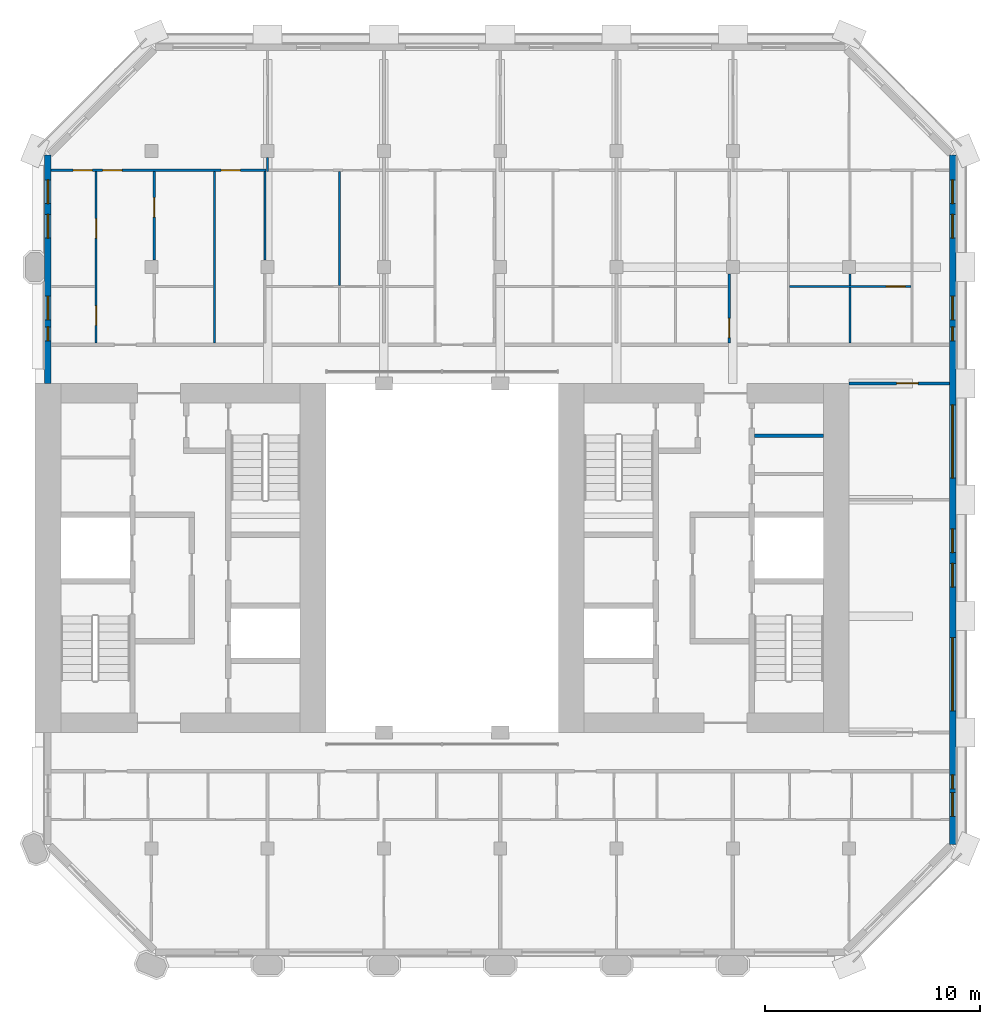
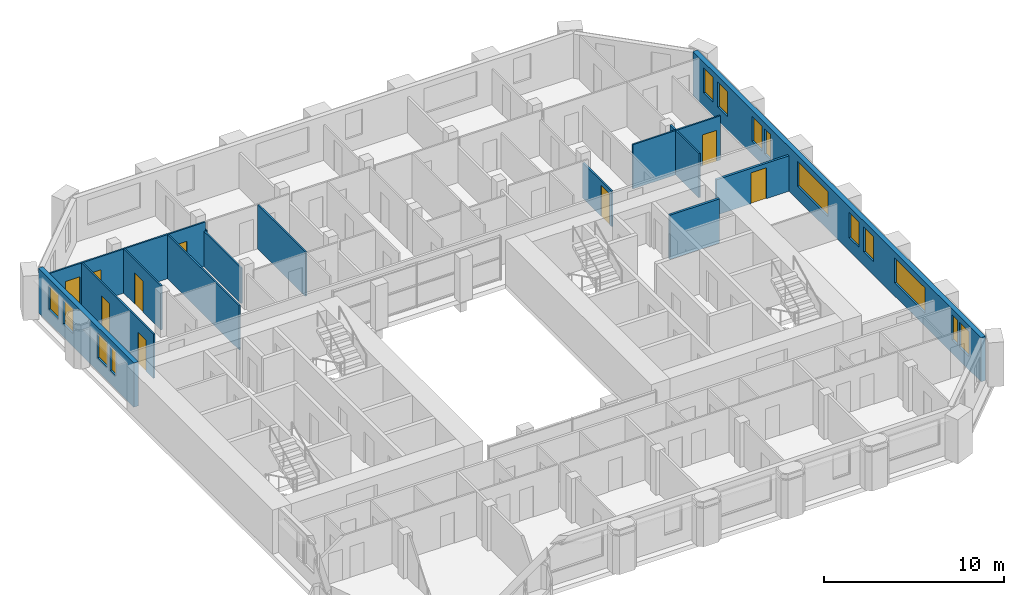
# One storey, part 8 of 13: 15 walls, 14 windows, 9 doors, 23 openings.
"""IFC4 building model written with IfcOpenShell, lengths in metres."""

from ifc_helpers import new_model, si_unit, direction, frame, frame_2d, origin, place, context, subcontext, project, spatial, rectangle, extrude, material, layer, layer_set, type_object, element, fill, save


model = new_model("IFC4")

# Units and contexts
model_context = context("Model", 3, precision=1e-05, world=origin(), true_north=direction((0.0, 1.0)))
body_context = subcontext(model_context, "Body", "Model", "MODEL_VIEW")
ifc_project = project(units=[si_unit("LENGTHUNIT", "METRE"), si_unit("AREAUNIT", "SQUARE_METRE"), si_unit("VOLUMEUNIT", "CUBIC_METRE"), si_unit("PLANEANGLEUNIT", "RADIAN"), si_unit("MASSUNIT", "GRAM", prefix="KILO")], contexts=[model_context])

# Site, building, storey
site_placement = place(None, origin())
site = spatial("IfcSite", under=ifc_project, at=site_placement, CompositionType="ELEMENT")
building_placement = place(site_placement, origin())
building = spatial("IfcBuilding", under=site, at=building_placement, Name="Tabaq Tower and Sports Hall", CompositionType="ELEMENT")
storey_placement = place(building_placement, frame((0.0, 0.0, 298.300048828125)))
storey = spatial("IfcBuildingStorey", under=building, at=storey_placement, Name="L74", CompositionType="ELEMENT", Elevation=298.300048828125)

# Wall
ifc_material_1 = material(Name="Blockwork", Category="masonry")
ifc_layer_1 = layer(ifc_material_1, 0.14990234375)
ifc_layer_set_1 = layer_set([ifc_layer_1], Name="Core room partition 150 Blockwork")
wall_type_1 = type_object("IfcWallType", Name="Core room partition 150 Blockwork", PredefinedType="PARTITIONING", material=ifc_layer_set_1)
wall_1_placement = place(storey_placement, frame((38.800048828125, 29.97705078125, 0.0), z_axis=(0.0, 0.0, 1.0), x_axis=(1.0, 0.0, 0.0)))
element("IfcWall", 1, at=wall_1_placement, inside=storey, type_object=wall_type_1, Name="Core room partition E L74", PredefinedType="PARTITIONING", context=body_context, shape_type="SweptSolid", body=[
    extrude(rectangle(XDim=3.199951171875, YDim=0.14990234375, at=frame_2d((1.60009765625, 0.0))), origin(), (0.0, 0.0, 1.0), 3.0),
])

# Wall, openings, doors
ifc_material_2 = material(Name="Gypsum board on steel studs", Category="steel")
ifc_layer_2 = layer(ifc_material_2, 0.10009765625)
ifc_layer_set_2 = layer_set([ifc_layer_2], Name="Partition 100 Gypsum board")
wall_type_2 = type_object("IfcWallType", Name="Partition 100 Gypsum board", PredefinedType="PARTITIONING", material=ifc_layer_set_2)
wall_2_placement = place(storey_placement, frame((6.15087890625, 42.300048828125, 0.0), z_axis=(0.0, 0.0, 1.0), x_axis=(1.0, 0.0, 0.0)))
wall_2 = element("IfcWall", 2, at=wall_2_placement, inside=storey, type_object=wall_type_2, Name="Partition wall L74", PredefinedType="PARTITIONING", context=body_context, shape_type="SweptSolid", body=[
    extrude(rectangle(XDim=9.97900390625, YDim=0.10009765625, at=frame_2d((4.989501953125, 0.0))), origin(), (0.0, 0.0, 1.0), 3.0),
])
opening_1_placement = place(wall_2_placement, frame((7.888916015625, 0.0, 0.0)))
opening_1 = element("IfcOpeningElement", 3, at=opening_1_placement, cuts=wall_2, Name="Opening L74-001", PredefinedType="OPENING", context=body_context, shape_type="SweptSolid", body=[
    extrude(rectangle(XDim=0.89990234375, YDim=2.10009765625, at=frame_2d((0.449951171875, 1.050048828125))), frame((0.0, 0.050048828125, 0.0), z_axis=(0.0, -1.0, 0.0), x_axis=(1.0, 0.0, 0.0)), (0.0, 0.0, 1.0), 0.10009765625),
])
opening_2_placement = place(wall_2_placement, frame((1.01904296875, 0.0, 0.0)))
opening_2 = element("IfcOpeningElement", 4, at=opening_2_placement, cuts=wall_2, Name="Opening L74-028", PredefinedType="OPENING", context=body_context, shape_type="SweptSolid", body=[
    extrude(rectangle(XDim=0.89990234375, YDim=2.10009765625, at=frame_2d((0.449951171875, 1.050048828125))), frame((0.0, 0.050048828125, 0.0), z_axis=(0.0, -1.0, 0.0), x_axis=(1.0, 0.0, 0.0)), (0.0, 0.0, 1.0), 0.10009765625),
])
opening_3_placement = place(wall_2_placement, frame((2.388916015625, 0.0, 0.0)))
opening_3 = element("IfcOpeningElement", 5, at=opening_3_placement, cuts=wall_2, Name="Opening L74-059", PredefinedType="OPENING", context=body_context, shape_type="SweptSolid", body=[
    extrude(rectangle(XDim=0.89990234375, YDim=2.10009765625, at=frame_2d((0.449951171875, 1.050048828125))), frame((0.0, 0.050048828125, 0.0), z_axis=(0.0, -1.0, 0.0), x_axis=(1.0, 0.0, 0.0)), (0.0, 0.0, 1.0), 0.10009765625),
])
ifc_material_3 = material(Name="Timber leaf in steel frame", Category="steel")
door_type_1 = type_object("IfcDoorType", Name="Internal door 900 left hand", OperationType="SINGLE_SWING_LEFT", PredefinedType="DOOR", material=ifc_material_3)
door_1_placement = place(opening_1_placement, origin())
door_1 = element("IfcDoor", 6, at=door_1_placement, inside=storey, type_object=door_type_1, Name="Internal door L74-001", OperationType="SINGLE_SWING_LEFT", OverallHeight=2.10009765625, OverallWidth=0.89990234375, PredefinedType="DOOR", context=body_context, shape_type="SweptSolid", body=[
    extrude(rectangle(XDim=0.89990234375, YDim=2.10009765625, at=frame_2d((0.449951171875, 1.050048828125))), frame((0.0, 0.02490234375, 0.0), z_axis=(0.0, -1.0, 0.0), x_axis=(1.0, 0.0, 0.0)), (0.0, 0.0, 1.0), 0.050048828125),
])
fill(opening_1, door_1)
door_2_placement = place(opening_3_placement, origin())
door_2 = element("IfcDoor", 7, at=door_2_placement, inside=storey, type_object=door_type_1, Name="Internal door L74-059", OperationType="SINGLE_SWING_LEFT", OverallHeight=2.10009765625, OverallWidth=0.89990234375, PredefinedType="DOOR", context=body_context, shape_type="SweptSolid", body=[
    extrude(rectangle(XDim=0.89990234375, YDim=2.10009765625, at=frame_2d((0.449951171875, 1.050048828125))), frame((0.0, 0.02490234375, 0.0), z_axis=(0.0, -1.0, 0.0), x_axis=(1.0, 0.0, 0.0)), (0.0, 0.0, 1.0), 0.050048828125),
])
fill(opening_3, door_2)
ifc_material_4 = material(Name="Timber leaf in steel frame", Category="steel")
door_type_2 = type_object("IfcDoorType", Name="Internal door 900 right hand", OperationType="SINGLE_SWING_RIGHT", PredefinedType="DOOR", material=ifc_material_4)
door_3_placement = place(opening_2_placement, origin())
door_3 = element("IfcDoor", 8, at=door_3_placement, inside=storey, type_object=door_type_2, Name="Internal door L74-028", OperationType="SINGLE_SWING_RIGHT", OverallHeight=2.10009765625, OverallWidth=0.89990234375, PredefinedType="DOOR", context=body_context, shape_type="SweptSolid", body=[
    extrude(rectangle(XDim=0.89990234375, YDim=2.10009765625, at=frame_2d((0.449951171875, 1.050048828125))), frame((0.0, 0.02490234375, 0.0), z_axis=(0.0, -1.0, 0.0), x_axis=(1.0, 0.0, 0.0)), (0.0, 0.0, 1.0), 0.050048828125),
])
fill(opening_2, door_3)

# Wall
wall_3_placement = place(storey_placement, frame((16.199951171875, 42.25, 0.0), z_axis=(0.0, 0.0, 1.0), x_axis=(0.0, 1.0, 0.0)))
element("IfcWall", 9, at=wall_3_placement, inside=storey, type_object=wall_type_2, Name="Partition wall L74", PredefinedType="PARTITIONING", context=body_context, shape_type="SweptSolid", body=[
    extrude(rectangle(XDim=0.6298828125, YDim=0.10009765625, at=frame_2d((0.31494140625, 0.0))), origin(), (0.0, 0.0, 1.0), 2.39990234375),
])

# Wall, openings, doors
wall_4_placement = place(storey_placement, frame((8.239990234375, 34.27490234375, 0.0), z_axis=(0.0, 0.0, 1.0), x_axis=(0.0, 1.0, 0.0)))
wall_4 = element("IfcWall", 10, at=wall_4_placement, inside=storey, type_object=wall_type_2, Name="Partition wall L74", PredefinedType="PARTITIONING", context=body_context, shape_type="SweptSolid", body=[
    extrude(rectangle(XDim=7.97509765625, YDim=0.10009765625, at=frame_2d((3.987548828125, 0.0))), origin(), (0.0, 0.0, 1.0), 3.0),
])
opening_4_placement = place(wall_4_placement, frame((0.824951171875, 0.0, 0.0)))
opening_4 = element("IfcOpeningElement", 11, at=opening_4_placement, cuts=wall_4, Name="Opening L74-002", PredefinedType="OPENING", context=body_context, shape_type="SweptSolid", body=[
    extrude(rectangle(XDim=0.89990234375, YDim=2.10009765625, at=frame_2d((0.449951171875, 1.050048828125))), frame((0.0, 0.050048828125, 0.0), z_axis=(0.0, -1.0, 0.0), x_axis=(1.0, 0.0, 0.0)), (0.0, 0.0, 1.0), 0.10009765625),
])
opening_5_placement = place(wall_4_placement, frame((4.875, 0.0, 0.0)))
opening_5 = element("IfcOpeningElement", 12, at=opening_5_placement, cuts=wall_4, Name="Opening L74-031", PredefinedType="OPENING", context=body_context, shape_type="SweptSolid", body=[
    extrude(rectangle(XDim=0.89990234375, YDim=2.10009765625, at=frame_2d((0.449951171875, 1.050048828125))), frame((0.0, 0.050048828125, 0.0), z_axis=(0.0, -1.0, 0.0), x_axis=(1.0, 0.0, 0.0)), (0.0, 0.0, 1.0), 0.10009765625),
])
door_4_placement = place(opening_4_placement, origin())
door_4 = element("IfcDoor", 13, at=door_4_placement, inside=storey, type_object=door_type_1, Name="Internal door L74-002", OperationType="SINGLE_SWING_LEFT", OverallHeight=2.10009765625, OverallWidth=0.89990234375, PredefinedType="DOOR", context=body_context, shape_type="SweptSolid", body=[
    extrude(rectangle(XDim=0.89990234375, YDim=2.10009765625, at=frame_2d((0.449951171875, 1.050048828125))), frame((0.0, 0.02490234375, 0.0), z_axis=(0.0, -1.0, 0.0), x_axis=(1.0, 0.0, 0.0)), (0.0, 0.0, 1.0), 0.050048828125),
])
fill(opening_4, door_4)
door_5_placement = place(opening_5_placement, origin())
door_5 = element("IfcDoor", 14, at=door_5_placement, inside=storey, type_object=door_type_2, Name="Internal door L74-031", OperationType="SINGLE_SWING_RIGHT", OverallHeight=2.10009765625, OverallWidth=0.89990234375, PredefinedType="DOOR", context=body_context, shape_type="SweptSolid", body=[
    extrude(rectangle(XDim=0.89990234375, YDim=2.10009765625, at=frame_2d((0.449951171875, 1.050048828125))), frame((0.0, 0.02490234375, 0.0), z_axis=(0.0, -1.0, 0.0), x_axis=(1.0, 0.0, 0.0)), (0.0, 0.0, 1.0), 0.050048828125),
])
fill(opening_5, door_5)

# Wall, opening, door
wall_5_placement = place(storey_placement, frame((10.93994140625, 38.1201171875, 0.0), z_axis=(0.0, 0.0, 1.0), x_axis=(0.0, 1.0, 0.0)))
wall_5 = element("IfcWall", 15, at=wall_5_placement, inside=storey, type_object=wall_type_2, Name="Partition wall L74", PredefinedType="PARTITIONING", context=body_context, shape_type="SweptSolid", body=[
    extrude(rectangle(XDim=4.1298828125, YDim=0.10009765625, at=frame_2d((2.06494140625, 0.0))), origin(), (0.0, 0.0, 1.0), 3.0),
])
opening_6_placement = place(wall_5_placement, frame((2.0048828125, 0.0, 0.0)))
opening_6 = element("IfcOpeningElement", 16, at=opening_6_placement, cuts=wall_5, Name="Opening L74-003", PredefinedType="OPENING", context=body_context, shape_type="SweptSolid", body=[
    extrude(rectangle(XDim=0.89990234375, YDim=2.10009765625, at=frame_2d((0.449951171875, 1.050048828125))), frame((0.0, 0.050048828125, 0.0), z_axis=(0.0, -1.0, 0.0), x_axis=(1.0, 0.0, 0.0)), (0.0, 0.0, 1.0), 0.10009765625),
])
door_6_placement = place(opening_6_placement, origin())
door_6 = element("IfcDoor", 17, at=door_6_placement, inside=storey, type_object=door_type_2, Name="Internal door L74-003", OperationType="SINGLE_SWING_RIGHT", OverallHeight=2.10009765625, OverallWidth=0.89990234375, PredefinedType="DOOR", context=body_context, shape_type="SweptSolid", body=[
    extrude(rectangle(XDim=0.89990234375, YDim=2.10009765625, at=frame_2d((0.449951171875, 1.050048828125))), frame((0.0, 0.02490234375, 0.0), z_axis=(0.0, -1.0, 0.0), x_axis=(1.0, 0.0, 0.0)), (0.0, 0.0, 1.0), 0.050048828125),
])
fill(opening_6, door_6)

# Walls
wall_6_placement = place(storey_placement, frame((13.739990234375, 34.27490234375, 0.0), z_axis=(0.0, 0.0, 1.0), x_axis=(0.0, 1.0, 0.0)))
element("IfcWall", 18, at=wall_6_placement, inside=storey, type_object=wall_type_2, Name="Partition wall L74", PredefinedType="PARTITIONING", context=body_context, shape_type="SweptSolid", body=[
    extrude(rectangle(XDim=7.97509765625, YDim=0.10009765625, at=frame_2d((3.987548828125, 0.0))), origin(), (0.0, 0.0, 1.0), 3.0),
])
wall_7_placement = place(storey_placement, frame((16.080078125, 38.1201171875, 0.0), z_axis=(0.0, 0.0, 1.0), x_axis=(0.0, 1.0, 0.0)))
element("IfcWall", 19, at=wall_7_placement, inside=storey, type_object=wall_type_2, Name="Partition wall L74", PredefinedType="PARTITIONING", context=body_context, shape_type="SweptSolid", body=[
    extrude(rectangle(XDim=4.1298828125, YDim=0.10009765625, at=frame_2d((2.06494140625, 0.0))), origin(), (0.0, 0.0, 1.0), 2.39990234375),
])
wall_8_placement = place(storey_placement, frame((19.530029296875, 36.949951171875, 0.0), z_axis=(0.0, 0.0, 1.0), x_axis=(0.0, 1.0, 0.0)))
element("IfcWall", 20, at=wall_8_placement, inside=storey, type_object=wall_type_2, Name="Partition wall L74", PredefinedType="PARTITIONING", context=body_context, shape_type="SweptSolid", body=[
    extrude(rectangle(XDim=5.300048828125, YDim=0.10009765625, at=frame_2d((2.64990234375, 0.0))), origin(), (0.0, 0.0, 1.0), 3.0),
])

# Wall, opening, door
wall_9_placement = place(storey_placement, frame((37.635009765625, 34.27490234375, 0.0), z_axis=(0.0, 0.0, 1.0), x_axis=(0.0, 1.0, 0.0)))
wall_9 = element("IfcWall", 21, at=wall_9_placement, inside=storey, type_object=wall_type_2, Name="Partition wall L74", PredefinedType="PARTITIONING", context=body_context, shape_type="SweptSolid", body=[
    extrude(rectangle(XDim=3.205078125, YDim=0.10009765625, at=frame_2d((1.6025390625, 0.0))), origin(), (0.0, 0.0, 1.0), 2.39990234375),
])
opening_7_placement = place(wall_9_placement, frame((0.25, 0.0, 0.0)))
opening_7 = element("IfcOpeningElement", 22, at=opening_7_placement, cuts=wall_9, Name="Opening L74-014", PredefinedType="OPENING", context=body_context, shape_type="SweptSolid", body=[
    extrude(rectangle(XDim=0.89990234375, YDim=2.10009765625, at=frame_2d((0.449951171875, 1.050048828125))), frame((0.0, 0.050048828125, 0.0), z_axis=(0.0, -1.0, 0.0), x_axis=(1.0, 0.0, 0.0)), (0.0, 0.0, 1.0), 0.10009765625),
])
door_7_placement = place(opening_7_placement, origin())
door_7 = element("IfcDoor", 23, at=door_7_placement, inside=storey, type_object=door_type_1, Name="Internal door L74-014", OperationType="SINGLE_SWING_LEFT", OverallHeight=2.10009765625, OverallWidth=0.89990234375, PredefinedType="DOOR", context=body_context, shape_type="SweptSolid", body=[
    extrude(rectangle(XDim=0.89990234375, YDim=2.10009765625, at=frame_2d((0.449951171875, 1.050048828125))), frame((0.0, 0.02490234375, 0.0), z_axis=(0.0, -1.0, 0.0), x_axis=(1.0, 0.0, 0.0)), (0.0, 0.0, 1.0), 0.050048828125),
])
fill(opening_7, door_7)

# Walls
wall_10_placement = place(storey_placement, frame((43.235107421875, 36.949951171875, 0.0), z_axis=(0.0, 0.0, 1.0), x_axis=(0.0, 1.0, 0.0)))
element("IfcWall", 24, at=wall_10_placement, inside=storey, type_object=wall_type_2, Name="Partition wall L74", PredefinedType="PARTITIONING", context=body_context, shape_type="SweptSolid", body=[
    extrude(rectangle(XDim=0.530029296875, YDim=0.10009765625, at=frame_2d((0.26513671875, 0.0))), origin(), (0.0, 0.0, 1.0), 3.0),
])
wall_11_placement = place(storey_placement, frame((43.235107421875, 34.27490234375, 0.0), z_axis=(0.0, 0.0, 1.0), x_axis=(0.0, 1.0, 0.0)))
element("IfcWall", 25, at=wall_11_placement, inside=storey, type_object=wall_type_2, Name="Partition wall L74", PredefinedType="PARTITIONING", context=body_context, shape_type="SweptSolid", body=[
    extrude(rectangle(XDim=2.5751953125, YDim=0.10009765625, at=frame_2d((1.28759765625, 0.0))), origin(), (0.0, 0.0, 1.0), 3.0),
])

# Wall, opening, door
wall_12_placement = place(storey_placement, frame((40.43505859375, 36.89990234375, 0.0), z_axis=(0.0, 0.0, 1.0), x_axis=(1.0, 0.0, 0.0)))
wall_12 = element("IfcWall", 26, at=wall_12_placement, inside=storey, type_object=wall_type_2, Name="Partition wall L74", PredefinedType="PARTITIONING", context=body_context, shape_type="SweptSolid", body=[
    extrude(rectangle(XDim=5.6298828125, YDim=0.10009765625, at=frame_2d((2.81494140625, 0.0))), origin(), (0.0, 0.0, 1.0), 3.0),
])
opening_8_placement = place(wall_12_placement, frame((4.47998046875, 0.0, 0.0)))
opening_8 = element("IfcOpeningElement", 27, at=opening_8_placement, cuts=wall_12, Name="Opening L74-017", PredefinedType="OPENING", context=body_context, shape_type="SweptSolid", body=[
    extrude(rectangle(XDim=0.89990234375, YDim=2.10009765625, at=frame_2d((0.449951171875, 1.050048828125))), frame((0.0, 0.050048828125, 0.0), z_axis=(0.0, -1.0, 0.0), x_axis=(1.0, 0.0, 0.0)), (0.0, 0.0, 1.0), 0.10009765625),
])
door_8_placement = place(opening_8_placement, origin())
door_8 = element("IfcDoor", 28, at=door_8_placement, inside=storey, type_object=door_type_1, Name="Internal door L74-017", OperationType="SINGLE_SWING_LEFT", OverallHeight=2.10009765625, OverallWidth=0.89990234375, PredefinedType="DOOR", context=body_context, shape_type="SweptSolid", body=[
    extrude(rectangle(XDim=0.89990234375, YDim=2.10009765625, at=frame_2d((0.449951171875, 1.050048828125))), frame((0.0, 0.02490234375, 0.0), z_axis=(0.0, -1.0, 0.0), x_axis=(1.0, 0.0, 0.0)), (0.0, 0.0, 1.0), 0.050048828125),
])
fill(opening_8, door_8)

ifc_material_5 = material(Name="Blockwork", Category="masonry")
ifc_layer_3 = layer(ifc_material_5, 0.14990234375)
ifc_layer_set_3 = layer_set([ifc_layer_3], Name="Separating wall 150 Blockwork")
wall_type_3 = type_object("IfcWallType", Name="Separating wall 150 Blockwork", PredefinedType="PARTITIONING", material=ifc_layer_set_3)
wall_13_placement = place(storey_placement, frame((47.84912109375, 32.39990234375, 0.0), z_axis=(0.0, 0.0, 1.0), x_axis=(-1.0, 0.0, 0.0)))
wall_13 = element("IfcWall", 29, at=wall_13_placement, inside=storey, type_object=wall_type_3, Name="Separating wall L74", PredefinedType="PARTITIONING", context=body_context, shape_type="SweptSolid", body=[
    extrude(rectangle(XDim=4.649169921875, YDim=0.14990234375, at=frame_2d((2.32470703125, 0.0))), origin(), (0.0, 0.0, 1.0), 2.39990234375),
])
opening_9_placement = place(wall_13_placement, frame((1.448974609375, 0.0, 0.0)))
opening_9 = element("IfcOpeningElement", 30, at=opening_9_placement, cuts=wall_13, Name="Opening L74-018", PredefinedType="OPENING", context=body_context, shape_type="SweptSolid", body=[
    extrude(rectangle(XDim=1.0, YDim=2.10009765625, at=frame_2d((0.5, 1.050048828125))), frame((0.0, 0.074951171875, 0.0), z_axis=(0.0, -1.0, 0.0), x_axis=(1.0, 0.0, 0.0)), (0.0, 0.0, 1.0), 0.14990234375),
])
ifc_material_6 = material(Name="Timber leaf in steel frame", Category="steel")
door_type_3 = type_object("IfcDoorType", Name="Internal door 1000 left hand", OperationType="SINGLE_SWING_LEFT", PredefinedType="DOOR", material=ifc_material_6)
door_9_placement = place(opening_9_placement, origin())
door_9 = element("IfcDoor", 31, at=door_9_placement, inside=storey, type_object=door_type_3, Name="Internal door L74-018", OperationType="SINGLE_SWING_LEFT", OverallHeight=2.10009765625, OverallWidth=1.0, PredefinedType="DOOR", context=body_context, shape_type="SweptSolid", body=[
    extrude(rectangle(XDim=1.0, YDim=2.10009765625, at=frame_2d((0.5, 1.050048828125))), frame((0.0, 0.02490234375, 0.0), z_axis=(0.0, -1.0, 0.0), x_axis=(1.0, 0.0, 0.0)), (0.0, 0.0, 1.0), 0.050048828125),
])
fill(opening_9, door_9)

# Wall, openings, windows
ifc_material_7 = material(Name="White precast concrete C60/75", Category="concrete")
ifc_layer_4 = layer(ifc_material_7, 0.300048828125)
ifc_layer_set_4 = layer_set([ifc_layer_4], Name="White precast concrete C60/75 external wall 300")
wall_type_4 = type_object("IfcWallType", Name="White precast concrete C60/75 external wall 300", PredefinedType="SOLIDWALL", material=ifc_layer_set_4)
wall_14_placement = place(storey_placement, frame((48.0, 10.986328125, 0.0), z_axis=(0.0, 0.0, 1.0), x_axis=(0.0, 1.0, 0.0)))
wall_14 = element("IfcWall", 32, at=wall_14_placement, inside=storey, type_object=wall_type_4, Name="External Wall L74 E", PredefinedType="SOLIDWALL", context=body_context, shape_type="SweptSolid", body=[
    extrude(rectangle(XDim=32.02734375, YDim=0.300048828125, at=frame_2d((16.013671875, 0.0))), origin(), (0.0, 0.0, 1.0), 3.0),
])
opening_10_placement = place(wall_14_placement, frame((1.313720703125, 0.0, 0.89990234375)))
opening_10 = element("IfcOpeningElement", 33, at=opening_10_placement, cuts=wall_14, Name="Opening W1B", PredefinedType="OPENING", context=body_context, shape_type="SweptSolid", body=[
    extrude(rectangle(XDim=1.10009765625, YDim=1.699951171875, at=frame_2d((0.550048828125, 0.85009765625))), frame((0.0, 0.16015625, 0.0), z_axis=(0.0, -1.0, 0.0), x_axis=(1.0, 0.0, 0.0)), (0.0, 0.0, 1.0), 0.320068359375),
])
opening_11_placement = place(wall_14_placement, frame((2.588623046875, 0.0, 0.89990234375)))
opening_11 = element("IfcOpeningElement", 34, at=opening_11_placement, cuts=wall_14, Name="Opening W1C", PredefinedType="OPENING", context=body_context, shape_type="SweptSolid", body=[
    extrude(rectangle(XDim=0.64990234375, YDim=1.699951171875, at=frame_2d((0.324951171875, 0.85009765625))), frame((0.0, 0.16015625, 0.0), z_axis=(0.0, -1.0, 0.0), x_axis=(1.0, 0.0, 0.0)), (0.0, 0.0, 1.0), 0.320068359375),
])
opening_12_placement = place(wall_14_placement, frame((6.213623046875, 0.0, 0.89990234375)))
opening_12 = element("IfcOpeningElement", 35, at=opening_12_placement, cuts=wall_14, Name="Opening W1A", PredefinedType="OPENING", context=body_context, shape_type="SweptSolid", body=[
    extrude(rectangle(XDim=3.39990234375, YDim=1.699951171875, at=frame_2d((1.699951171875, 0.85009765625))), frame((0.0, 0.16015625, 0.0), z_axis=(0.0, -1.0, 0.0), x_axis=(1.0, 0.0, 0.0)), (0.0, 0.0, 1.0), 0.320068359375),
])
opening_13_placement = place(wall_14_placement, frame((11.963623046875, 0.0, 0.89990234375)))
opening_13 = element("IfcOpeningElement", 36, at=opening_13_placement, cuts=wall_14, Name="Opening W1B", PredefinedType="OPENING", context=body_context, shape_type="SweptSolid", body=[
    extrude(rectangle(XDim=1.10009765625, YDim=1.699951171875, at=frame_2d((0.550048828125, 0.85009765625))), frame((0.0, 0.16015625, 0.0), z_axis=(0.0, -1.0, 0.0), x_axis=(1.0, 0.0, 0.0)), (0.0, 0.0, 1.0), 0.320068359375),
])
opening_14_placement = place(wall_14_placement, frame((13.563720703125, 0.0, 0.89990234375)))
opening_14 = element("IfcOpeningElement", 37, at=opening_14_placement, cuts=wall_14, Name="Opening W1B", PredefinedType="OPENING", context=body_context, shape_type="SweptSolid", body=[
    extrude(rectangle(XDim=1.10009765625, YDim=1.699951171875, at=frame_2d((0.550048828125, 0.85009765625))), frame((0.0, 0.16015625, 0.0), z_axis=(0.0, -1.0, 0.0), x_axis=(1.0, 0.0, 0.0)), (0.0, 0.0, 1.0), 0.320068359375),
])
opening_15_placement = place(wall_14_placement, frame((17.013671875, 0.0, 0.89990234375)))
opening_15 = element("IfcOpeningElement", 38, at=opening_15_placement, cuts=wall_14, Name="Opening W1A", PredefinedType="OPENING", context=body_context, shape_type="SweptSolid", body=[
    extrude(rectangle(XDim=3.39990234375, YDim=1.699951171875, at=frame_2d((1.699951171875, 0.85009765625))), frame((0.0, 0.16015625, 0.0), z_axis=(0.0, -1.0, 0.0), x_axis=(1.0, 0.0, 0.0)), (0.0, 0.0, 1.0), 0.320068359375),
])
opening_16_placement = place(wall_14_placement, frame((23.388671875, 0.0, 0.89990234375)))
opening_16 = element("IfcOpeningElement", 39, at=opening_16_placement, cuts=wall_14, Name="Opening W1C", PredefinedType="OPENING", context=body_context, shape_type="SweptSolid", body=[
    extrude(rectangle(XDim=0.64990234375, YDim=1.699951171875, at=frame_2d((0.324951171875, 0.85009765625))), frame((0.0, 0.16015625, 0.0), z_axis=(0.0, -1.0, 0.0), x_axis=(1.0, 0.0, 0.0)), (0.0, 0.0, 1.0), 0.320068359375),
])
opening_17_placement = place(wall_14_placement, frame((24.363525390625, 0.0, 0.89990234375)))
opening_17 = element("IfcOpeningElement", 40, at=opening_17_placement, cuts=wall_14, Name="Opening W1B", PredefinedType="OPENING", context=body_context, shape_type="SweptSolid", body=[
    extrude(rectangle(XDim=1.10009765625, YDim=1.699951171875, at=frame_2d((0.550048828125, 0.85009765625))), frame((0.0, 0.16015625, 0.0), z_axis=(0.0, -1.0, 0.0), x_axis=(1.0, 0.0, 0.0)), (0.0, 0.0, 1.0), 0.320068359375),
])
opening_18_placement = place(wall_14_placement, frame((28.16357421875, 0.0, 0.89990234375)))
opening_18 = element("IfcOpeningElement", 41, at=opening_18_placement, cuts=wall_14, Name="Opening W1B", PredefinedType="OPENING", context=body_context, shape_type="SweptSolid", body=[
    extrude(rectangle(XDim=1.10009765625, YDim=1.699951171875, at=frame_2d((0.550048828125, 0.85009765625))), frame((0.0, 0.16015625, 0.0), z_axis=(0.0, -1.0, 0.0), x_axis=(1.0, 0.0, 0.0)), (0.0, 0.0, 1.0), 0.320068359375),
])
opening_19_placement = place(wall_14_placement, frame((29.763671875, 0.0, 0.89990234375)))
opening_19 = element("IfcOpeningElement", 42, at=opening_19_placement, cuts=wall_14, Name="Opening W1B", PredefinedType="OPENING", context=body_context, shape_type="SweptSolid", body=[
    extrude(rectangle(XDim=1.10009765625, YDim=1.699951171875, at=frame_2d((0.550048828125, 0.85009765625))), frame((0.0, 0.16015625, 0.0), z_axis=(0.0, -1.0, 0.0), x_axis=(1.0, 0.0, 0.0)), (0.0, 0.0, 1.0), 0.320068359375),
])
ifc_material_8 = material(Name="Aluminium framed clear glazing", Category="aluminium")
window_type_1 = type_object("IfcWindowType", Name="Window W1A", PartitioningType="SINGLE_PANEL", PredefinedType="WINDOW", material=ifc_material_8)
window_1_placement = place(opening_12_placement, origin())
window_1 = element("IfcWindow", 43, at=window_1_placement, inside=storey, type_object=window_type_1, Name="Window W1A L74", OverallHeight=1.699951171875, OverallWidth=3.39990234375, PartitioningType="SINGLE_PANEL", PredefinedType="WINDOW", context=body_context, shape_type="SweptSolid", body=[
    extrude(rectangle(XDim=3.39990234375, YDim=1.699951171875, at=frame_2d((1.699951171875, 0.85009765625))), frame((0.0, 0.030029296875, 0.0), z_axis=(0.0, -1.0, 0.0), x_axis=(1.0, 0.0, 0.0)), (0.0, 0.0, 1.0), 0.06005859375),
])
fill(opening_12, window_1)
window_2_placement = place(opening_15_placement, origin())
window_2 = element("IfcWindow", 44, at=window_2_placement, inside=storey, type_object=window_type_1, Name="Window W1A L74", OverallHeight=1.699951171875, OverallWidth=3.39990234375, PartitioningType="SINGLE_PANEL", PredefinedType="WINDOW", context=body_context, shape_type="SweptSolid", body=[
    extrude(rectangle(XDim=3.39990234375, YDim=1.699951171875, at=frame_2d((1.699951171875, 0.85009765625))), frame((0.0, 0.030029296875, 0.0), z_axis=(0.0, -1.0, 0.0), x_axis=(1.0, 0.0, 0.0)), (0.0, 0.0, 1.0), 0.06005859375),
])
fill(opening_15, window_2)
ifc_material_9 = material(Name="Aluminium framed clear glazing", Category="aluminium")
window_type_2 = type_object("IfcWindowType", Name="Window W1B", PartitioningType="SINGLE_PANEL", PredefinedType="WINDOW", material=ifc_material_9)
window_3_placement = place(opening_10_placement, origin())
window_3 = element("IfcWindow", 45, at=window_3_placement, inside=storey, type_object=window_type_2, Name="Window W1B L74", OverallHeight=1.699951171875, OverallWidth=1.10009765625, PartitioningType="SINGLE_PANEL", PredefinedType="WINDOW", context=body_context, shape_type="SweptSolid", body=[
    extrude(rectangle(XDim=1.10009765625, YDim=1.699951171875, at=frame_2d((0.550048828125, 0.85009765625))), frame((0.0, 0.030029296875, 0.0), z_axis=(0.0, -1.0, 0.0), x_axis=(1.0, 0.0, 0.0)), (0.0, 0.0, 1.0), 0.06005859375),
])
fill(opening_10, window_3)
window_4_placement = place(opening_13_placement, origin())
window_4 = element("IfcWindow", 46, at=window_4_placement, inside=storey, type_object=window_type_2, Name="Window W1B L74", OverallHeight=1.699951171875, OverallWidth=1.10009765625, PartitioningType="SINGLE_PANEL", PredefinedType="WINDOW", context=body_context, shape_type="SweptSolid", body=[
    extrude(rectangle(XDim=1.10009765625, YDim=1.699951171875, at=frame_2d((0.550048828125, 0.85009765625))), frame((0.0, 0.030029296875, 0.0), z_axis=(0.0, -1.0, 0.0), x_axis=(1.0, 0.0, 0.0)), (0.0, 0.0, 1.0), 0.06005859375),
])
fill(opening_13, window_4)
window_5_placement = place(opening_14_placement, origin())
window_5 = element("IfcWindow", 47, at=window_5_placement, inside=storey, type_object=window_type_2, Name="Window W1B L74", OverallHeight=1.699951171875, OverallWidth=1.10009765625, PartitioningType="SINGLE_PANEL", PredefinedType="WINDOW", context=body_context, shape_type="SweptSolid", body=[
    extrude(rectangle(XDim=1.10009765625, YDim=1.699951171875, at=frame_2d((0.550048828125, 0.85009765625))), frame((0.0, 0.030029296875, 0.0), z_axis=(0.0, -1.0, 0.0), x_axis=(1.0, 0.0, 0.0)), (0.0, 0.0, 1.0), 0.06005859375),
])
fill(opening_14, window_5)
window_6_placement = place(opening_17_placement, origin())
window_6 = element("IfcWindow", 48, at=window_6_placement, inside=storey, type_object=window_type_2, Name="Window W1B L74", OverallHeight=1.699951171875, OverallWidth=1.10009765625, PartitioningType="SINGLE_PANEL", PredefinedType="WINDOW", context=body_context, shape_type="SweptSolid", body=[
    extrude(rectangle(XDim=1.10009765625, YDim=1.699951171875, at=frame_2d((0.550048828125, 0.85009765625))), frame((0.0, 0.030029296875, 0.0), z_axis=(0.0, -1.0, 0.0), x_axis=(1.0, 0.0, 0.0)), (0.0, 0.0, 1.0), 0.06005859375),
])
fill(opening_17, window_6)
window_7_placement = place(opening_18_placement, origin())
window_7 = element("IfcWindow", 49, at=window_7_placement, inside=storey, type_object=window_type_2, Name="Window W1B L74", OverallHeight=1.699951171875, OverallWidth=1.10009765625, PartitioningType="SINGLE_PANEL", PredefinedType="WINDOW", context=body_context, shape_type="SweptSolid", body=[
    extrude(rectangle(XDim=1.10009765625, YDim=1.699951171875, at=frame_2d((0.550048828125, 0.85009765625))), frame((0.0, 0.030029296875, 0.0), z_axis=(0.0, -1.0, 0.0), x_axis=(1.0, 0.0, 0.0)), (0.0, 0.0, 1.0), 0.06005859375),
])
fill(opening_18, window_7)
window_8_placement = place(opening_19_placement, origin())
window_8 = element("IfcWindow", 50, at=window_8_placement, inside=storey, type_object=window_type_2, Name="Window W1B L74", OverallHeight=1.699951171875, OverallWidth=1.10009765625, PartitioningType="SINGLE_PANEL", PredefinedType="WINDOW", context=body_context, shape_type="SweptSolid", body=[
    extrude(rectangle(XDim=1.10009765625, YDim=1.699951171875, at=frame_2d((0.550048828125, 0.85009765625))), frame((0.0, 0.030029296875, 0.0), z_axis=(0.0, -1.0, 0.0), x_axis=(1.0, 0.0, 0.0)), (0.0, 0.0, 1.0), 0.06005859375),
])
fill(opening_19, window_8)
ifc_material_10 = material(Name="Aluminium framed clear glazing", Category="aluminium")
window_type_3 = type_object("IfcWindowType", Name="Window W1C", PartitioningType="SINGLE_PANEL", PredefinedType="WINDOW", material=ifc_material_10)
window_9_placement = place(opening_11_placement, origin())
window_9 = element("IfcWindow", 51, at=window_9_placement, inside=storey, type_object=window_type_3, Name="Window W1C L74", OverallHeight=1.699951171875, OverallWidth=0.64990234375, PartitioningType="SINGLE_PANEL", PredefinedType="WINDOW", context=body_context, shape_type="SweptSolid", body=[
    extrude(rectangle(XDim=0.64990234375, YDim=1.699951171875, at=frame_2d((0.324951171875, 0.85009765625))), frame((0.0, 0.030029296875, 0.0), z_axis=(0.0, -1.0, 0.0), x_axis=(1.0, 0.0, 0.0)), (0.0, 0.0, 1.0), 0.06005859375),
])
fill(opening_11, window_9)
window_10_placement = place(opening_16_placement, origin())
window_10 = element("IfcWindow", 52, at=window_10_placement, inside=storey, type_object=window_type_3, Name="Window W1C L74", OverallHeight=1.699951171875, OverallWidth=0.64990234375, PartitioningType="SINGLE_PANEL", PredefinedType="WINDOW", context=body_context, shape_type="SweptSolid", body=[
    extrude(rectangle(XDim=0.64990234375, YDim=1.699951171875, at=frame_2d((0.324951171875, 0.85009765625))), frame((0.0, 0.030029296875, 0.0), z_axis=(0.0, -1.0, 0.0), x_axis=(1.0, 0.0, 0.0)), (0.0, 0.0, 1.0), 0.06005859375),
])
fill(opening_16, window_10)

wall_15_placement = place(storey_placement, frame((6.0, 43.013671875, 0.0), z_axis=(0.0, 0.0, 1.0), x_axis=(0.0, -1.0, 0.0)))
wall_15 = element("IfcWall", 53, at=wall_15_placement, inside=storey, type_object=wall_type_4, Name="External Wall L74 W", PredefinedType="SOLIDWALL", context=body_context, shape_type="SweptSolid", body=[
    extrude(rectangle(XDim=10.61376953125, YDim=0.300048828125, at=frame_2d((5.306884765625, 0.0))), origin(), (0.0, 0.0, 1.0), 3.0),
])
opening_20_placement = place(wall_15_placement, frame((1.16357421875, 0.0, 0.89990234375)))
opening_20 = element("IfcOpeningElement", 54, at=opening_20_placement, cuts=wall_15, Name="Opening W1B", PredefinedType="OPENING", context=body_context, shape_type="SweptSolid", body=[
    extrude(rectangle(XDim=1.10009765625, YDim=1.699951171875, at=frame_2d((0.550048828125, 0.85009765625))), frame((0.0, 0.16015625, 0.0), z_axis=(0.0, -1.0, 0.0), x_axis=(1.0, 0.0, 0.0)), (0.0, 0.0, 1.0), 0.320068359375),
])
opening_21_placement = place(wall_15_placement, frame((2.763671875, 0.0, 0.89990234375)))
opening_21 = element("IfcOpeningElement", 55, at=opening_21_placement, cuts=wall_15, Name="Opening W1B", PredefinedType="OPENING", context=body_context, shape_type="SweptSolid", body=[
    extrude(rectangle(XDim=1.10009765625, YDim=1.699951171875, at=frame_2d((0.550048828125, 0.85009765625))), frame((0.0, 0.16015625, 0.0), z_axis=(0.0, -1.0, 0.0), x_axis=(1.0, 0.0, 0.0)), (0.0, 0.0, 1.0), 0.320068359375),
])
opening_22_placement = place(wall_15_placement, frame((6.563720703125, 0.0, 0.89990234375)))
opening_22 = element("IfcOpeningElement", 56, at=opening_22_placement, cuts=wall_15, Name="Opening W1B", PredefinedType="OPENING", context=body_context, shape_type="SweptSolid", body=[
    extrude(rectangle(XDim=1.10009765625, YDim=1.699951171875, at=frame_2d((0.550048828125, 0.85009765625))), frame((0.0, 0.16015625, 0.0), z_axis=(0.0, -1.0, 0.0), x_axis=(1.0, 0.0, 0.0)), (0.0, 0.0, 1.0), 0.320068359375),
])
opening_23_placement = place(wall_15_placement, frame((7.988525390625, 0.0, 0.89990234375)))
opening_23 = element("IfcOpeningElement", 57, at=opening_23_placement, cuts=wall_15, Name="Opening W1C", PredefinedType="OPENING", context=body_context, shape_type="SweptSolid", body=[
    extrude(rectangle(XDim=0.64990234375, YDim=1.699951171875, at=frame_2d((0.324951171875, 0.85009765625))), frame((0.0, 0.16015625, 0.0), z_axis=(0.0, -1.0, 0.0), x_axis=(1.0, 0.0, 0.0)), (0.0, 0.0, 1.0), 0.320068359375),
])
window_11_placement = place(opening_20_placement, origin())
window_11 = element("IfcWindow", 58, at=window_11_placement, inside=storey, type_object=window_type_2, Name="Window W1B L74", OverallHeight=1.699951171875, OverallWidth=1.10009765625, PartitioningType="SINGLE_PANEL", PredefinedType="WINDOW", context=body_context, shape_type="SweptSolid", body=[
    extrude(rectangle(XDim=1.10009765625, YDim=1.699951171875, at=frame_2d((0.550048828125, 0.85009765625))), frame((0.0, 0.030029296875, 0.0), z_axis=(0.0, -1.0, 0.0), x_axis=(1.0, 0.0, 0.0)), (0.0, 0.0, 1.0), 0.06005859375),
])
fill(opening_20, window_11)
window_12_placement = place(opening_21_placement, origin())
window_12 = element("IfcWindow", 59, at=window_12_placement, inside=storey, type_object=window_type_2, Name="Window W1B L74", OverallHeight=1.699951171875, OverallWidth=1.10009765625, PartitioningType="SINGLE_PANEL", PredefinedType="WINDOW", context=body_context, shape_type="SweptSolid", body=[
    extrude(rectangle(XDim=1.10009765625, YDim=1.699951171875, at=frame_2d((0.550048828125, 0.85009765625))), frame((0.0, 0.030029296875, 0.0), z_axis=(0.0, -1.0, 0.0), x_axis=(1.0, 0.0, 0.0)), (0.0, 0.0, 1.0), 0.06005859375),
])
fill(opening_21, window_12)
window_13_placement = place(opening_22_placement, origin())
window_13 = element("IfcWindow", 60, at=window_13_placement, inside=storey, type_object=window_type_2, Name="Window W1B L74", OverallHeight=1.699951171875, OverallWidth=1.10009765625, PartitioningType="SINGLE_PANEL", PredefinedType="WINDOW", context=body_context, shape_type="SweptSolid", body=[
    extrude(rectangle(XDim=1.10009765625, YDim=1.699951171875, at=frame_2d((0.550048828125, 0.85009765625))), frame((0.0, 0.030029296875, 0.0), z_axis=(0.0, -1.0, 0.0), x_axis=(1.0, 0.0, 0.0)), (0.0, 0.0, 1.0), 0.06005859375),
])
fill(opening_22, window_13)
window_14_placement = place(opening_23_placement, origin())
window_14 = element("IfcWindow", 61, at=window_14_placement, inside=storey, type_object=window_type_3, Name="Window W1C L74", OverallHeight=1.699951171875, OverallWidth=0.64990234375, PartitioningType="SINGLE_PANEL", PredefinedType="WINDOW", context=body_context, shape_type="SweptSolid", body=[
    extrude(rectangle(XDim=0.64990234375, YDim=1.699951171875, at=frame_2d((0.324951171875, 0.85009765625))), frame((0.0, 0.030029296875, 0.0), z_axis=(0.0, -1.0, 0.0), x_axis=(1.0, 0.0, 0.0)), (0.0, 0.0, 1.0), 0.06005859375),
])
fill(opening_23, window_14)

save(model, "model.ifc")
